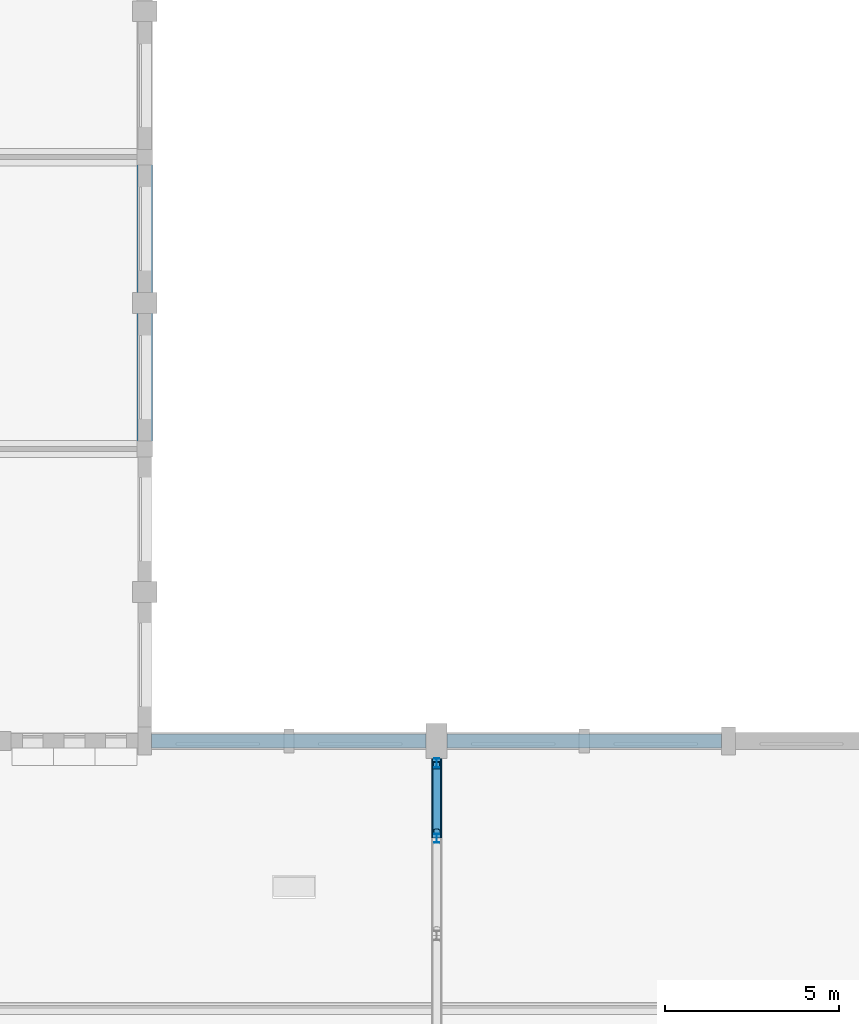
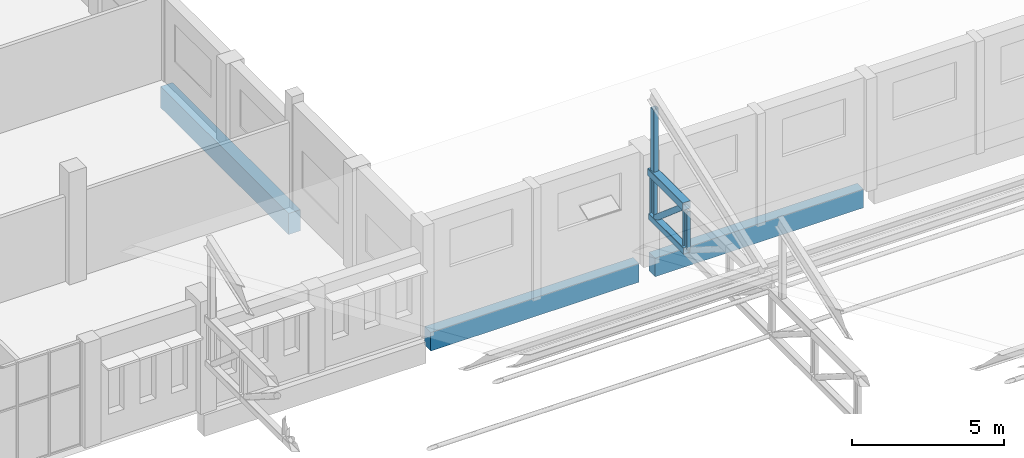
# One storey, part 22 of 101: 6 members, 3 beams.
"""IFC4 building model written with IfcOpenShell, lengths in metres."""

from ifc_helpers import new_model, si_unit, direction, frame, origin, origin_2d, place, context, subcontext, project, spatial, rectangle, hollow_rectangle, hollow_circle, i_section, extrude, material, material_profile, profile_set, type_object, element, save


model = new_model("IFC4")

# Units and contexts
model_context = context("Model", 3, precision=1e-05, world=origin(), true_north=direction((0.0, 1.0)))
body_context = subcontext(model_context, "Body", "Model", "MODEL_VIEW")
ifc_project = project(units=[si_unit("LENGTHUNIT", "METRE"), si_unit("AREAUNIT", "SQUARE_METRE"), si_unit("VOLUMEUNIT", "CUBIC_METRE"), si_unit("PLANEANGLEUNIT", "RADIAN"), si_unit("MASSUNIT", "GRAM", prefix="KILO")], contexts=[model_context])

# Site, building, storey
site_placement = place(None, origin())
site = spatial("IfcSite", under=ifc_project, at=site_placement, CompositionType="ELEMENT")
building_placement = place(site_placement, origin())
building = spatial("IfcBuilding", under=site, at=building_placement, Name="Fescue Hill Polytechnic", CompositionType="ELEMENT")
storey_placement = place(building_placement, frame((0.0, 0.0, 9.0)))
storey = spatial("IfcBuildingStorey", under=building, at=storey_placement, Name="L02", CompositionType="ELEMENT", Elevation=9.0)

# Beams
ifc_material_1 = material(Name="Concrete 35 MPa", Category="concrete")
ifc_material_profile_1 = material_profile(ifc_material_1, rectangle(XDim=0.39990234375, YDim=0.75, at=origin_2d()), Name="RC 400x750")
ifc_profile_set_1 = profile_set([ifc_material_profile_1], Name="Concrete 35 MPa")
beam_type_1 = type_object("IfcBeamType", Name="Beam RC 400x750", PredefinedType="BEAM", material=ifc_profile_set_1)
for number, where, z_axis, x_axis, name in (
    (1, (33.300048828125, 50.39990234375, -0.375), (-1.0, 0.0, 0.0), (0.0, -1.0, 0.0), "BM-L02-0149"),
    (2, (41.800048828125, 50.39990234375, -0.375), (-1.0, 0.0, 0.0), (0.0, -1.0, 0.0), "BM-L02-0151"),
):
    element("IfcBeam", number, at=place(storey_placement, frame(where, z_axis=z_axis, x_axis=x_axis)), inside=storey, type_object=beam_type_1, Name=name, PredefinedType="BEAM", context=body_context, shape_type="SweptSolid", body=[
        extrude(rectangle(XDim=0.39990234375, YDim=0.75, at=origin_2d()), origin(), (0.0, 0.0, 1.0), 7.900146484375),
    ])
ifc_material_profile_2 = material_profile(ifc_material_1, rectangle(XDim=0.449951171875, YDim=0.85009765625, at=origin_2d()), Name="RC 450x850")
ifc_profile_set_2 = profile_set([ifc_material_profile_2], Name="Concrete 35 MPa")
beam_type_2 = type_object("IfcBeamType", Name="Beam RC 450x850", PredefinedType="BEAM", material=ifc_profile_set_2)
beam_placement = place(storey_placement, frame((25.199951171875, 58.800048828125, -0.72509765625), z_axis=(0.0, 1.0, 0.0), x_axis=(-1.0, 0.0, 0.0)))
element("IfcBeam", 3, at=beam_placement, inside=storey, type_object=beam_type_2, Name="BM-L02-0053", PredefinedType="BEAM", context=body_context, shape_type="SweptSolid", body=[
    extrude(rectangle(XDim=0.449951171875, YDim=0.85009765625, at=origin_2d()), origin(), (0.0, 0.0, 1.0), 8.39990234375),
])

# Members
ifc_material_2 = material(Name="Steel 350W (350 MPa)", Category="steel")
ifc_material_profile_3 = material_profile(ifc_material_2, hollow_rectangle(XDim=0.25390625, YDim=0.25390625, WallThickness=0.0126953125, InnerFilletRadius=0.0126953125, OuterFilletRadius=0.025390625, at=origin_2d()), Name="Hall truss bottom chord HSS 254x254x13")
ifc_profile_set_3 = profile_set([ifc_material_profile_3], Name="Steel 350W (350 MPa)")
member_type_1 = type_object("IfcMemberType", Name="Hall truss bottom chord HSS 254x254x13", PredefinedType="CHORD", material=ifc_profile_set_3)
member_1_placement = place(storey_placement, frame((33.60009765625, 47.60009765625, 2.0), z_axis=(0.0, 1.0, 0.0), x_axis=(-1.0, 0.0, 0.0)))
element("IfcMember", 4, at=member_1_placement, inside=storey, type_object=member_type_1, Name="Truss TR3 bottom chord 12", PredefinedType="CHORD", context=body_context, shape_type="SweptSolid", body=[
    extrude(hollow_rectangle(XDim=0.25390625, YDim=0.25390625, WallThickness=0.0126953125, InnerFilletRadius=0.0126953125, OuterFilletRadius=0.025390625, at=origin_2d()), origin(), (0.0, 0.0, 1.0), 2.2998046875),
])
ifc_material_profile_4 = material_profile(ifc_material_2, hollow_circle(Radius=0.109619140625, WallThickness=0.009521484375, at=origin_2d()), Name="Hall truss diagonal CHS 219x9.5")
ifc_profile_set_4 = profile_set([ifc_material_profile_4], Name="Steel 350W (350 MPa)")
member_type_2 = type_object("IfcMemberType", Name="Hall truss diagonal CHS 219x9.5", PredefinedType="BRACE", material=ifc_profile_set_4)
member_2_placement = place(storey_placement, frame((33.60009765625, 47.800048828125, 3.631103515625), z_axis=(0.0, 0.761443253909, -0.648231572107), x_axis=(-1.0, 0.0, 0.0)))
element("IfcMember", 5, at=member_2_placement, inside=storey, type_object=member_type_2, Name="Truss TR3 diagonal 12", PredefinedType="BRACE", context=body_context, shape_type="SweptSolid", body=[
    extrude(hollow_circle(Radius=0.109619140625, WallThickness=0.009521484375, at=origin_2d()), origin(), (0.0, 0.0, 1.0), 2.3203125),
])
ifc_material_profile_5 = material_profile(ifc_material_2, i_section(OverallWidth=0.14794921875, OverallDepth=0.26611328125, WebThickness=0.007568359375, FlangeThickness=0.012939453125, FilletRadius=0.013916015625, at=origin_2d()), Name="W250x45")
ifc_profile_set_5 = profile_set([ifc_material_profile_5], Name="Steel 350W (350 MPa)")
member_type_3 = type_object("IfcMemberType", Name="Hall truss post W250x45", PredefinedType="POST", material=ifc_profile_set_5)
for number, where, z_axis, x_axis, name in (
    (6, (33.60009765625, 47.60009765625, 2.126953125), (0.0, 0.0, 1.0), (1.0, 0.0, 0.0), "Truss TR3 post 12"),
    (7, (33.60009765625, 49.76708984375, 2.126953125), (0.0, 0.0, 1.0), (1.0, 0.0, 0.0), "Truss TR3 post 13"),
):
    element("IfcMember", number, at=place(storey_placement, frame(where, z_axis=z_axis, x_axis=x_axis)), inside=storey, type_object=member_type_3, Name=name, PredefinedType="POST", context=body_context, shape_type="SweptSolid", body=[
        extrude(i_section(OverallWidth=0.14794921875, OverallDepth=0.26611328125, WebThickness=0.007568359375, FlangeThickness=0.012939453125, FilletRadius=0.013916015625, at=origin_2d()), origin(), (0.0, 0.0, 1.0), 1.504150390625),
    ])
ifc_material_profile_6 = material_profile(ifc_material_2, hollow_rectangle(XDim=0.3046875, YDim=0.3046875, WallThickness=0.0126953125, InnerFilletRadius=0.0126953125, OuterFilletRadius=0.025390625, at=origin_2d()), Name="Hall truss top chord HSS 305x305x13")
ifc_profile_set_6 = profile_set([ifc_material_profile_6], Name="Steel 350W (350 MPa)")
member_type_4 = type_object("IfcMemberType", Name="Hall truss top chord HSS 305x305x13", PredefinedType="CHORD", material=ifc_profile_set_6)
member_3_placement = place(storey_placement, frame((33.60009765625, 47.60009765625, 3.783447265625), z_axis=(0.0, 1.0, 0.0), x_axis=(-1.0, 0.0, 0.0)))
element("IfcMember", 8, at=member_3_placement, inside=storey, type_object=member_type_4, Name="Truss TR3 top chord 12", PredefinedType="CHORD", context=body_context, shape_type="SweptSolid", body=[
    extrude(hollow_rectangle(XDim=0.3046875, YDim=0.3046875, WallThickness=0.0126953125, InnerFilletRadius=0.0126953125, OuterFilletRadius=0.025390625, at=origin_2d()), origin(), (0.0, 0.0, 1.0), 2.2998046875),
])
ifc_material_profile_7 = material_profile(ifc_material_2, hollow_rectangle(XDim=0.203125, YDim=0.203125, WallThickness=0.009521484375, InnerFilletRadius=0.009521484375, OuterFilletRadius=0.01904296875, at=origin_2d()), Name="Tooth ridge post HSS 203x203x9.5")
ifc_profile_set_7 = profile_set([ifc_material_profile_7], Name="Steel 350W (350 MPa)")
member_type_5 = type_object("IfcMemberType", Name="Tooth ridge post HSS 203x203x9.5", PredefinedType="POST", material=ifc_profile_set_7)
member_4_placement = place(storey_placement, frame((33.60009765625, 49.699951171875, 3.93603515625), z_axis=(0.0, 0.0, 1.0), x_axis=(1.0, 0.0, 0.0)))
element("IfcMember", 9, at=member_4_placement, inside=storey, type_object=member_type_5, Name="Tooth 4 ridge post on TR3", PredefinedType="POST", context=body_context, shape_type="SweptSolid", body=[
    extrude(hollow_rectangle(XDim=0.203125, YDim=0.203125, WallThickness=0.009521484375, InnerFilletRadius=0.009521484375, OuterFilletRadius=0.01904296875, at=origin_2d()), origin(), (0.0, 0.0, 1.0), 2.499267578125),
])

save(model, "model.ifc")
